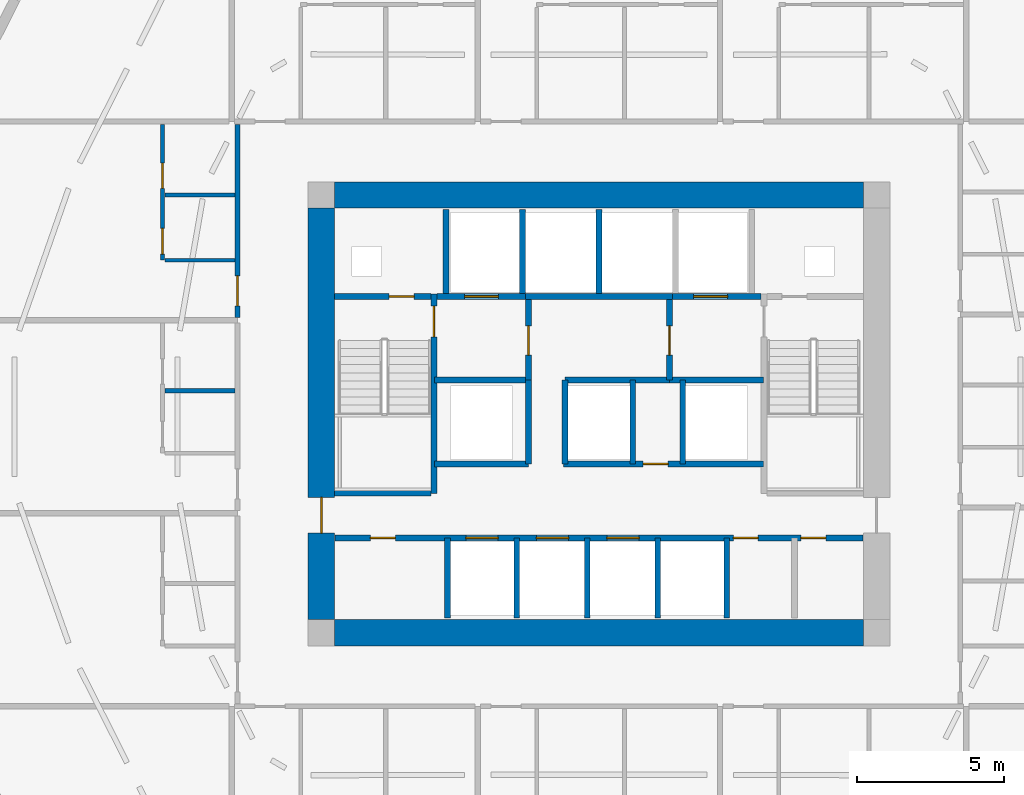
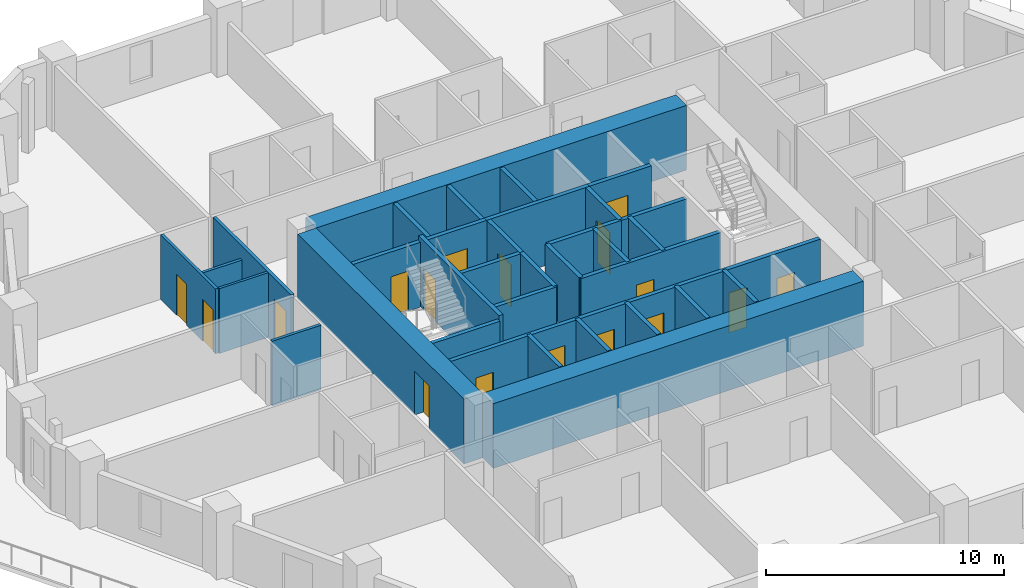
# One storey, part 4 of 10: 34 walls, 17 doors, 17 openings.
"""IFC4 building model written with IfcOpenShell, lengths in metres."""

from ifc_helpers import new_model, si_unit, direction, frame, frame_2d, origin, place, context, subcontext, project, spatial, rectangle, extrude, material, layer, layer_set, type_object, element, fill, save


model = new_model("IFC4")

# Units and contexts
model_context = context("Model", 3, precision=1e-05, world=origin(), true_north=direction((0.0, 1.0)))
body_context = subcontext(model_context, "Body", "Model", "MODEL_VIEW")
ifc_project = project(units=[si_unit("LENGTHUNIT", "METRE"), si_unit("AREAUNIT", "SQUARE_METRE"), si_unit("VOLUMEUNIT", "CUBIC_METRE"), si_unit("PLANEANGLEUNIT", "RADIAN"), si_unit("MASSUNIT", "GRAM", prefix="KILO")], contexts=[model_context])

# Site, building, storey
site_placement = place(None, origin())
site = spatial("IfcSite", under=ifc_project, at=site_placement, CompositionType="ELEMENT")
building_placement = place(site_placement, origin())
building = spatial("IfcBuilding", under=site, at=building_placement, Name="Cinnabar Lancet Tower", CompositionType="ELEMENT")
storey_placement = place(building_placement, frame((0.0, 0.0, 24.89990234375)))
storey = spatial("IfcBuildingStorey", under=building, at=storey_placement, Name="L05", CompositionType="ELEMENT", Elevation=24.89990234375)

# Wall, opening, door
ifc_material_1 = material(Name="Acoustic twin-stud gypsum partition", Category="gypsum")
ifc_layer_1 = layer(ifc_material_1, 0.159912109375)
ifc_layer_set_1 = layer_set([ifc_layer_1], Name="Acoustic twin-stud gypsum partition")
wall_type_1 = type_object("IfcWallType", Name="ARC-WL-CORR-160", PredefinedType="PARTITIONING", material=ifc_layer_set_1)
wall_1_placement = place(storey_placement, frame((20.10009765625, 29.178955078125, 0.0), z_axis=(0.0, 0.0, 1.0), x_axis=(0.0, 1.0, 0.0)))
wall_1 = element("IfcWall", 1, at=wall_1_placement, inside=storey, type_object=wall_type_1, Name="UW-L05-W03-COR", PredefinedType="PARTITIONING", context=body_context, shape_type="SweptSolid", body=[
    extrude(rectangle(XDim=6.575927734375, YDim=0.159912109375, at=frame_2d((3.2880859375, 0.0))), origin(), (0.0, 0.0, 1.0), 3.330078125),
])
opening_1_placement = place(wall_1_placement, frame((0.39990234375, 0.0, 0.0)))
opening_1 = element("IfcOpeningElement", 2, at=opening_1_placement, cuts=wall_1, Name="Opening UD-01", PredefinedType="OPENING", context=body_context, shape_type="SweptSolid", body=[
    extrude(rectangle(XDim=1.02001953125, YDim=2.25, at=frame_2d((0.510009765625, 1.125))), frame((0.0, 0.08984375, 0.0), z_axis=(0.0, -1.0, 0.0), x_axis=(1.0, 0.0, 0.0)), (0.0, 0.0, 1.0), 0.179931640625),
])
ifc_material_2 = material(Name="Solid timber fire-rated apartment entrance door", Category="wood")
door_type_1 = type_object("IfcDoorType", Name="ARC-DR-UNIT", OperationType="NOTDEFINED", PredefinedType="DOOR", material=ifc_material_2)
door_1_placement = place(opening_1_placement, origin())
door_1 = element("IfcDoor", 3, at=door_1_placement, inside=storey, type_object=door_type_1, Name="DR-L05-W03-ENT", OperationType="SINGLE_SWING_LEFT", OverallHeight=2.25, OverallWidth=1.02001953125, PredefinedType="DOOR", context=body_context, shape_type="SweptSolid", body=[
    extrude(rectangle(XDim=1.02001953125, YDim=2.25, at=frame_2d((0.510009765625, 1.125))), frame((0.0, 0.02490234375, 0.0), z_axis=(0.0, -1.0, 0.0), x_axis=(1.0, 0.0, 0.0)), (0.0, 0.0, 1.0), 0.050048828125),
])
fill(opening_1, door_1)

# Wall
ifc_material_3 = material(Name="Autoclaved aerated concrete blockwork", Category="masonry")
ifc_layer_2 = layer(ifc_material_3, 0.199951171875)
ifc_layer_set_2 = layer_set([ifc_layer_2], Name="Autoclaved aerated concrete blockwork")
wall_type_2 = type_object("IfcWallType", Name="ARC-WL-SHAFT-200", PredefinedType="PLUMBINGWALL", material=ifc_layer_set_2)
wall_2_placement = place(storey_placement, frame((23.405029296875, 23.199951171875, 0.0), z_axis=(0.0, 0.0, 1.0), x_axis=(1.0, 0.0, 0.0)))
element("IfcWall", 4, at=wall_2_placement, inside=storey, type_object=wall_type_2, Name="CW-ST1S-L05", PredefinedType="PLUMBINGWALL", context=body_context, shape_type="SweptSolid", body=[
    extrude(rectangle(XDim=3.27001953125, YDim=0.199951171875, at=frame_2d((1.635009765625, 0.0))), origin(), (0.0, 0.0, 1.0), 3.330078125),
])

# Wall, opening, door
wall_3_placement = place(storey_placement, frame((23.405029296875, 29.89990234375, 0.0), z_axis=(0.0, 0.0, 1.0), x_axis=(1.0, 0.0, 0.0)))
wall_3 = element("IfcWall", 5, at=wall_3_placement, inside=storey, type_object=wall_type_2, Name="CW-NSH-W-L05", PredefinedType="PLUMBINGWALL", context=body_context, shape_type="SweptSolid", body=[
    extrude(rectangle(XDim=3.27001953125, YDim=0.199951171875, at=frame_2d((1.635009765625, 0.0))), origin(), (0.0, 0.0, 1.0), 3.330078125),
])
opening_2_placement = place(wall_3_placement, frame((1.85009765625, 0.0, 0.0)))
opening_2 = element("IfcOpeningElement", 6, at=opening_2_placement, cuts=wall_3, Name="Opening PD-02", PredefinedType="OPENING", context=body_context, shape_type="SweptSolid", body=[
    extrude(rectangle(XDim=0.85009765625, YDim=2.050048828125, at=frame_2d((0.425048828125, 1.02490234375))), frame((0.0, 0.10986328125, 0.0), z_axis=(0.0, -1.0, 0.0), x_axis=(1.0, 0.0, 0.0)), (0.0, 0.0, 1.0), 0.219970703125),
])
ifc_material_4 = material(Name="Fire-rated steel riser access door", Category="steel")
door_type_2 = type_object("IfcDoorType", Name="ARC-DR-RISER", OperationType="NOTDEFINED", PredefinedType="DOOR", material=ifc_material_4)
door_2_placement = place(opening_2_placement, origin())
door_2 = element("IfcDoor", 7, at=door_2_placement, inside=storey, type_object=door_type_2, Name="L05 West Riser Access Door", OperationType="SINGLE_SWING_LEFT", OverallHeight=2.050048828125, OverallWidth=0.85009765625, PredefinedType="DOOR", context=body_context, shape_type="SweptSolid", body=[
    extrude(rectangle(XDim=0.85009765625, YDim=2.050048828125, at=frame_2d((0.425048828125, 1.02490234375))), frame((0.0, 0.02490234375, 0.0), z_axis=(0.0, -1.0, 0.0), x_axis=(1.0, 0.0, 0.0)), (0.0, 0.0, 1.0), 0.050048828125),
])
fill(opening_2, door_2)

wall_4_placement = place(storey_placement, frame((26.885009765625, 29.89990234375, 0.0), z_axis=(0.0, 0.0, 1.0), x_axis=(1.0, 0.0, 0.0)))
wall_4 = element("IfcWall", 8, at=wall_4_placement, inside=storey, type_object=wall_type_2, Name="CW-FL1-L05", PredefinedType="PLUMBINGWALL", context=body_context, shape_type="SweptSolid", body=[
    extrude(rectangle(XDim=3.014892578125, YDim=0.199951171875, at=frame_2d((1.50732421875, 0.0))), origin(), (0.0, 0.0, 1.0), 3.330078125),
])
opening_3_placement = place(wall_4_placement, frame((0.93994140625, 0.0, 0.0)))
opening_3 = element("IfcOpeningElement", 9, at=opening_3_placement, cuts=wall_4, Name="Opening LD-02", PredefinedType="OPENING", context=body_context, shape_type="SweptSolid", body=[
    extrude(rectangle(XDim=1.14990234375, YDim=2.199951171875, at=frame_2d((0.574951171875, 1.10009765625))), frame((0.0, 0.10986328125, 0.0), z_axis=(0.0, -1.0, 0.0), x_axis=(1.0, 0.0, 0.0)), (0.0, 0.0, 1.0), 0.219970703125),
])
ifc_material_5 = material(Name="Fire-rated stainless steel firefighting lift landing door", Category="steel")
door_type_3 = type_object("IfcDoorType", Name="ARC-DR-LD-FIRE", OperationType="NOTDEFINED", PredefinedType="DOOR", material=ifc_material_5)
door_3_placement = place(opening_3_placement, origin())
door_3 = element("IfcDoor", 10, at=door_3_placement, inside=storey, type_object=door_type_3, Name="L05 Firefighting Lift FL-1 Landing Door", OperationType="DOUBLE_DOOR_SLIDING", OverallHeight=2.199951171875, OverallWidth=1.14990234375, PredefinedType="DOOR", context=body_context, shape_type="SweptSolid", body=[
    extrude(rectangle(XDim=1.14990234375, YDim=2.199951171875, at=frame_2d((0.574951171875, 1.10009765625))), frame((0.0, 0.02490234375, 0.0), z_axis=(0.0, -1.0, 0.0), x_axis=(1.0, 0.0, 0.0)), (0.0, 0.0, 1.0), 0.050048828125),
])
fill(opening_3, door_3)

# Wall
wall_5_placement = place(storey_placement, frame((29.89990234375, 29.89990234375, 0.0), z_axis=(0.0, 0.0, 1.0), x_axis=(1.0, 0.0, 0.0)))
element("IfcWall", 11, at=wall_5_placement, inside=storey, type_object=wall_type_2, Name="CW-PL78-L05", PredefinedType="PLUMBINGWALL", context=body_context, shape_type="SweptSolid", body=[
    extrude(rectangle(XDim=5.0, YDim=0.199951171875, at=frame_2d((2.5, 0.0))), origin(), (0.0, 0.0, 1.0), 3.330078125),
])

# Wall, opening, door
wall_6_placement = place(storey_placement, frame((34.89990234375, 29.89990234375, 0.0), z_axis=(0.0, 0.0, 1.0), x_axis=(1.0, 0.0, 0.0)))
wall_6 = element("IfcWall", 12, at=wall_6_placement, inside=storey, type_object=wall_type_2, Name="CW-FL2-L05", PredefinedType="PLUMBINGWALL", context=body_context, shape_type="SweptSolid", body=[
    extrude(rectangle(XDim=3.01513671875, YDim=0.199951171875, at=frame_2d((1.507568359375, 0.0))), origin(), (0.0, 0.0, 1.0), 3.330078125),
])
opening_4_placement = place(wall_6_placement, frame((0.72509765625, 0.0, 0.0)))
opening_4 = element("IfcOpeningElement", 13, at=opening_4_placement, cuts=wall_6, Name="Opening LD-02", PredefinedType="OPENING", context=body_context, shape_type="SweptSolid", body=[
    extrude(rectangle(XDim=1.14990234375, YDim=2.199951171875, at=frame_2d((0.574951171875, 1.10009765625))), frame((0.0, 0.10986328125, 0.0), z_axis=(0.0, -1.0, 0.0), x_axis=(1.0, 0.0, 0.0)), (0.0, 0.0, 1.0), 0.219970703125),
])
door_4_placement = place(opening_4_placement, origin())
door_4 = element("IfcDoor", 14, at=door_4_placement, inside=storey, type_object=door_type_3, Name="L05 Firefighting Lift FL-2 Landing Door", OperationType="DOUBLE_DOOR_SLIDING", OverallHeight=2.199951171875, OverallWidth=1.14990234375, PredefinedType="DOOR", context=body_context, shape_type="SweptSolid", body=[
    extrude(rectangle(XDim=1.14990234375, YDim=2.199951171875, at=frame_2d((0.574951171875, 1.10009765625))), frame((0.0, 0.02490234375, 0.0), z_axis=(0.0, -1.0, 0.0), x_axis=(1.0, 0.0, 0.0)), (0.0, 0.0, 1.0), 0.050048828125),
])
fill(opening_4, door_4)

# Walls
for number, where, z_axis, x_axis, name in (
    (15, (27.199951171875, 30.0, 0.0), (0.0, 0.0, 1.0), (0.0, 1.0, 0.0), "CW-NSH-D1-L05"),
    (16, (29.800048828125, 30.0, 0.0), (0.0, 0.0, 1.0), (0.0, 1.0, 0.0), "CW-NSH-D2-L05"),
    (17, (32.39990234375, 30.0, 0.0), (0.0, 0.0, 1.0), (0.0, 1.0, 0.0), "CW-NSH-D3-L05"),
):
    element("IfcWall", number, at=place(storey_placement, frame(where, z_axis=z_axis, x_axis=x_axis)), inside=storey, type_object=wall_type_2, Name=name, PredefinedType="PLUMBINGWALL", context=body_context, shape_type="SweptSolid", body=[
        extrude(rectangle(XDim=2.85009765625, YDim=0.199951171875, at=frame_2d((1.425048828125, 0.0))), origin(), (0.0, 0.0, 1.0), 3.330078125),
    ])

# Wall, opening, door
wall_7_placement = place(storey_placement, frame((30.0, 27.050048828125, 0.0), z_axis=(0.0, 0.0, 1.0), x_axis=(0.0, 1.0, 0.0)))
wall_7 = element("IfcWall", 18, at=wall_7_placement, inside=storey, type_object=wall_type_2, Name="CW-FF1E-L05", PredefinedType="PLUMBINGWALL", context=body_context, shape_type="SweptSolid", body=[
    extrude(rectangle(XDim=2.75, YDim=0.199951171875, at=frame_2d((1.375, 0.0))), origin(), (0.0, 0.0, 1.0), 3.330078125),
])
opening_5_placement = place(wall_7_placement, frame((0.85009765625, 0.0, 0.0)))
opening_5 = element("IfcOpeningElement", 19, at=opening_5_placement, cuts=wall_7, Name="Opening FD-01", PredefinedType="OPENING", context=body_context, shape_type="SweptSolid", body=[
    extrude(rectangle(XDim=1.0, YDim=2.14990234375, at=frame_2d((0.5, 1.074951171875))), frame((0.0, 0.10986328125, 0.0), z_axis=(0.0, -1.0, 0.0), x_axis=(1.0, 0.0, 0.0)), (0.0, 0.0, 1.0), 0.219970703125),
])
ifc_material_6 = material(Name="Fire-rated timber-core lobby door", Category="wood")
door_type_4 = type_object("IfcDoorType", Name="ARC-DR-FFAL", OperationType="NOTDEFINED", PredefinedType="DOOR", material=ifc_material_6)
door_5_placement = place(opening_5_placement, origin())
door_5 = element("IfcDoor", 20, at=door_5_placement, inside=storey, type_object=door_type_4, Name="L05 FFAL-1 Lobby Fire Door", OperationType="SINGLE_SWING_RIGHT", OverallHeight=2.14990234375, OverallWidth=1.0, PredefinedType="DOOR", context=body_context, shape_type="SweptSolid", body=[
    extrude(rectangle(XDim=1.0, YDim=2.14990234375, at=frame_2d((0.5, 1.074951171875))), frame((0.0, 0.02490234375, 0.0), z_axis=(0.0, -1.0, 0.0), x_axis=(1.0, 0.0, 0.0)), (0.0, 0.0, 1.0), 0.050048828125),
])
fill(opening_5, door_5)

# Wall
wall_8_placement = place(storey_placement, frame((26.800048828125, 27.050048828125, 0.0), z_axis=(0.0, 0.0, 1.0), x_axis=(1.0, 0.0, 0.0)))
element("IfcWall", 21, at=wall_8_placement, inside=storey, type_object=wall_type_2, Name="CW-FF1S-L05", PredefinedType="PLUMBINGWALL", context=body_context, shape_type="SweptSolid", body=[
    extrude(rectangle(XDim=3.199951171875, YDim=0.199951171875, at=frame_2d((1.60009765625, 0.0))), origin(), (0.0, 0.0, 1.0), 3.330078125),
])

# Wall, opening, door
wall_9_placement = place(storey_placement, frame((34.800048828125, 27.050048828125, 0.0), z_axis=(0.0, 0.0, 1.0), x_axis=(0.0, 1.0, 0.0)))
wall_9 = element("IfcWall", 22, at=wall_9_placement, inside=storey, type_object=wall_type_2, Name="CW-FF2W-L05", PredefinedType="PLUMBINGWALL", context=body_context, shape_type="SweptSolid", body=[
    extrude(rectangle(XDim=2.75, YDim=0.199951171875, at=frame_2d((1.375, 0.0))), origin(), (0.0, 0.0, 1.0), 3.330078125),
])
opening_6_placement = place(wall_9_placement, frame((0.85009765625, 0.0, 0.0)))
opening_6 = element("IfcOpeningElement", 23, at=opening_6_placement, cuts=wall_9, Name="Opening FD-01", PredefinedType="OPENING", context=body_context, shape_type="SweptSolid", body=[
    extrude(rectangle(XDim=1.0, YDim=2.14990234375, at=frame_2d((0.5, 1.074951171875))), frame((0.0, 0.10986328125, 0.0), z_axis=(0.0, -1.0, 0.0), x_axis=(1.0, 0.0, 0.0)), (0.0, 0.0, 1.0), 0.219970703125),
])
door_6_placement = place(opening_6_placement, origin())
door_6 = element("IfcDoor", 24, at=door_6_placement, inside=storey, type_object=door_type_4, Name="L05 FFAL-2 Lobby Fire Door", OperationType="SINGLE_SWING_LEFT", OverallHeight=2.14990234375, OverallWidth=1.0, PredefinedType="DOOR", context=body_context, shape_type="SweptSolid", body=[
    extrude(rectangle(XDim=1.0, YDim=2.14990234375, at=frame_2d((0.5, 1.074951171875))), frame((0.0, 0.02490234375, 0.0), z_axis=(0.0, -1.0, 0.0), x_axis=(1.0, 0.0, 0.0)), (0.0, 0.0, 1.0), 0.050048828125),
])
fill(opening_6, door_6)

# Walls
for number, where, z_axis, x_axis, name in (
    (25, (34.800048828125, 27.050048828125, 0.0), (0.0, 0.0, 1.0), (1.0, 0.0, 0.0), "CW-FF2S-L05"),
    (26, (26.800048828125, 24.199951171875, 0.0), (0.0, 0.0, 1.0), (1.0, 0.0, 0.0), "CW-PL5S-L05"),
):
    element("IfcWall", number, at=place(storey_placement, frame(where, z_axis=z_axis, x_axis=x_axis)), inside=storey, type_object=wall_type_2, Name=name, PredefinedType="PLUMBINGWALL", context=body_context, shape_type="SweptSolid", body=[
        extrude(rectangle(XDim=3.199951171875, YDim=0.199951171875, at=frame_2d((1.60009765625, 0.0))), origin(), (0.0, 0.0, 1.0), 3.330078125),
    ])
wall_10_placement = place(storey_placement, frame((30.0, 24.199951171875, 0.0), z_axis=(0.0, 0.0, 1.0), x_axis=(0.0, 1.0, 0.0)))
element("IfcWall", 27, at=wall_10_placement, inside=storey, type_object=wall_type_2, Name="CW-PL5E-L05", PredefinedType="PLUMBINGWALL", context=body_context, shape_type="SweptSolid", body=[
    extrude(rectangle(XDim=2.85009765625, YDim=0.199951171875, at=frame_2d((1.425048828125, 0.0))), origin(), (0.0, 0.0, 1.0), 3.330078125),
])

# Wall, opening, door
wall_11_placement = place(storey_placement, frame((31.199951171875, 24.199951171875, 0.0), z_axis=(0.0, 0.0, 1.0), x_axis=(1.0, 0.0, 0.0)))
wall_11 = element("IfcWall", 28, at=wall_11_placement, inside=storey, type_object=wall_type_2, Name="CW-PL96S-L05", PredefinedType="PLUMBINGWALL", context=body_context, shape_type="SweptSolid", body=[
    extrude(rectangle(XDim=6.800048828125, YDim=0.199951171875, at=frame_2d((3.39990234375, 0.0))), origin(), (0.0, 0.0, 1.0), 3.330078125),
])
opening_7_placement = place(wall_11_placement, frame((2.699951171875, 0.0, 0.0)))
opening_7 = element("IfcOpeningElement", 29, at=opening_7_placement, cuts=wall_11, Name="Opening PD-02", PredefinedType="OPENING", context=body_context, shape_type="SweptSolid", body=[
    extrude(rectangle(XDim=0.85009765625, YDim=2.050048828125, at=frame_2d((0.425048828125, 1.02490234375))), frame((0.0, 0.10986328125, 0.0), z_axis=(0.0, -1.0, 0.0), x_axis=(1.0, 0.0, 0.0)), (0.0, 0.0, 1.0), 0.219970703125),
])
door_7_placement = place(opening_7_placement, origin())
door_7 = element("IfcDoor", 30, at=door_7_placement, inside=storey, type_object=door_type_2, Name="L05 BMS Closet Door", OperationType="SINGLE_SWING_LEFT", OverallHeight=2.050048828125, OverallWidth=0.85009765625, PredefinedType="DOOR", context=body_context, shape_type="SweptSolid", body=[
    extrude(rectangle(XDim=0.85009765625, YDim=2.050048828125, at=frame_2d((0.425048828125, 1.02490234375))), frame((0.0, 0.02490234375, 0.0), z_axis=(0.0, -1.0, 0.0), x_axis=(1.0, 0.0, 0.0)), (0.0, 0.0, 1.0), 0.050048828125),
])
fill(opening_7, door_7)

# Walls
for number, where, z_axis, x_axis, name in (
    (31, (31.25, 24.199951171875, 0.0), (0.0, 0.0, 1.0), (0.0, 1.0, 0.0), "CW-PL9W-L05"),
    (32, (33.550048828125, 24.199951171875, 0.0), (0.0, 0.0, 1.0), (0.0, 1.0, 0.0), "CW-PL9E-L05"),
    (33, (35.25, 24.199951171875, 0.0), (0.0, 0.0, 1.0), (0.0, 1.0, 0.0), "CW-PL6W-L05"),
):
    element("IfcWall", number, at=place(storey_placement, frame(where, z_axis=z_axis, x_axis=x_axis)), inside=storey, type_object=wall_type_2, Name=name, PredefinedType="PLUMBINGWALL", context=body_context, shape_type="SweptSolid", body=[
        extrude(rectangle(XDim=2.85009765625, YDim=0.199951171875, at=frame_2d((1.425048828125, 0.0))), origin(), (0.0, 0.0, 1.0), 3.330078125),
    ])
wall_12_placement = place(storey_placement, frame((31.25, 27.050048828125, 0.0), z_axis=(0.0, 0.0, 1.0), x_axis=(1.0, 0.0, 0.0)))
element("IfcWall", 34, at=wall_12_placement, inside=storey, type_object=wall_type_2, Name="CW-PL96N-L05", PredefinedType="PLUMBINGWALL", context=body_context, shape_type="SweptSolid", body=[
    extrude(rectangle(XDim=3.550048828125, YDim=0.199951171875, at=frame_2d((1.77490234375, 0.0))), origin(), (0.0, 0.0, 1.0), 3.330078125),
])

# Wall, openings, doors
wall_13_placement = place(storey_placement, frame((23.419921875, 21.679931640625, 0.0), z_axis=(0.0, 0.0, 1.0), x_axis=(1.0, 0.0, 0.0)))
wall_13 = element("IfcWall", 35, at=wall_13_placement, inside=storey, type_object=wall_type_2, Name="CW-SBANDN-L05", PredefinedType="PLUMBINGWALL", context=body_context, shape_type="SweptSolid", body=[
    extrude(rectangle(XDim=17.9599609375, YDim=0.199951171875, at=frame_2d((8.97998046875, 0.0))), origin(), (0.0, 0.0, 1.0), 3.330078125),
])
opening_8_placement = place(wall_13_placement, frame((4.449951171875, 0.0, 0.0)))
opening_8 = element("IfcOpeningElement", 36, at=opening_8_placement, cuts=wall_13, Name="Opening LD-01", PredefinedType="OPENING", context=body_context, shape_type="SweptSolid", body=[
    extrude(rectangle(XDim=1.10009765625, YDim=2.199951171875, at=frame_2d((0.550048828125, 1.10009765625))), frame((0.0, 0.10986328125, 0.0), z_axis=(0.0, -1.0, 0.0), x_axis=(1.0, 0.0, 0.0)), (0.0, 0.0, 1.0), 0.219970703125),
])
opening_9_placement = place(wall_13_placement, frame((6.85009765625, 0.0, 0.0)))
opening_9 = element("IfcOpeningElement", 37, at=opening_9_placement, cuts=wall_13, Name="Opening LD-01", PredefinedType="OPENING", context=body_context, shape_type="SweptSolid", body=[
    extrude(rectangle(XDim=1.10009765625, YDim=2.199951171875, at=frame_2d((0.550048828125, 1.10009765625))), frame((0.0, 0.10986328125, 0.0), z_axis=(0.0, -1.0, 0.0), x_axis=(1.0, 0.0, 0.0)), (0.0, 0.0, 1.0), 0.219970703125),
])
opening_10_placement = place(wall_13_placement, frame((9.25, 0.0, 0.0)))
opening_10 = element("IfcOpeningElement", 38, at=opening_10_placement, cuts=wall_13, Name="Opening LD-01", PredefinedType="OPENING", context=body_context, shape_type="SweptSolid", body=[
    extrude(rectangle(XDim=1.10009765625, YDim=2.199951171875, at=frame_2d((0.550048828125, 1.10009765625))), frame((0.0, 0.10986328125, 0.0), z_axis=(0.0, -1.0, 0.0), x_axis=(1.0, 0.0, 0.0)), (0.0, 0.0, 1.0), 0.219970703125),
])
opening_11_placement = place(wall_13_placement, frame((1.199951171875, 0.0, 0.0)))
opening_11 = element("IfcOpeningElement", 39, at=opening_11_placement, cuts=wall_13, Name="Opening PD-02", PredefinedType="OPENING", context=body_context, shape_type="SweptSolid", body=[
    extrude(rectangle(XDim=0.85009765625, YDim=2.050048828125, at=frame_2d((0.425048828125, 1.02490234375))), frame((0.0, 0.10986328125, 0.0), z_axis=(0.0, -1.0, 0.0), x_axis=(1.0, 0.0, 0.0)), (0.0, 0.0, 1.0), 0.219970703125),
])
opening_12_placement = place(wall_13_placement, frame((13.550048828125, 0.0, 0.0)))
opening_12 = element("IfcOpeningElement", 40, at=opening_12_placement, cuts=wall_13, Name="Opening PD-02", PredefinedType="OPENING", context=body_context, shape_type="SweptSolid", body=[
    extrude(rectangle(XDim=0.85009765625, YDim=2.050048828125, at=frame_2d((0.425048828125, 1.02490234375))), frame((0.0, 0.10986328125, 0.0), z_axis=(0.0, -1.0, 0.0), x_axis=(1.0, 0.0, 0.0)), (0.0, 0.0, 1.0), 0.219970703125),
])
opening_13_placement = place(wall_13_placement, frame((15.85009765625, 0.0, 0.0)))
opening_13 = element("IfcOpeningElement", 41, at=opening_13_placement, cuts=wall_13, Name="Opening PD-02", PredefinedType="OPENING", context=body_context, shape_type="SweptSolid", body=[
    extrude(rectangle(XDim=0.85009765625, YDim=2.050048828125, at=frame_2d((0.425048828125, 1.02490234375))), frame((0.0, 0.10986328125, 0.0), z_axis=(0.0, -1.0, 0.0), x_axis=(1.0, 0.0, 0.0)), (0.0, 0.0, 1.0), 0.219970703125),
])
ifc_material_7 = material(Name="Brushed stainless steel sliding lift door", Category="steel")
door_type_5 = type_object("IfcDoorType", Name="ARC-DR-LD-PASS", OperationType="NOTDEFINED", PredefinedType="DOOR", material=ifc_material_7)
door_8_placement = place(opening_8_placement, origin())
door_8 = element("IfcDoor", 42, at=door_8_placement, inside=storey, type_object=door_type_5, Name="L05 Lift PL-1 Landing Door", OperationType="DOUBLE_DOOR_SLIDING", OverallHeight=2.199951171875, OverallWidth=1.10009765625, PredefinedType="DOOR", context=body_context, shape_type="SweptSolid", body=[
    extrude(rectangle(XDim=1.10009765625, YDim=2.199951171875, at=frame_2d((0.550048828125, 1.10009765625))), frame((0.0, 0.02490234375, 0.0), z_axis=(0.0, -1.0, 0.0), x_axis=(1.0, 0.0, 0.0)), (0.0, 0.0, 1.0), 0.050048828125),
])
fill(opening_8, door_8)
door_9_placement = place(opening_9_placement, origin())
door_9 = element("IfcDoor", 43, at=door_9_placement, inside=storey, type_object=door_type_5, Name="L05 Lift PL-2 Landing Door", OperationType="DOUBLE_DOOR_SLIDING", OverallHeight=2.199951171875, OverallWidth=1.10009765625, PredefinedType="DOOR", context=body_context, shape_type="SweptSolid", body=[
    extrude(rectangle(XDim=1.10009765625, YDim=2.199951171875, at=frame_2d((0.550048828125, 1.10009765625))), frame((0.0, 0.02490234375, 0.0), z_axis=(0.0, -1.0, 0.0), x_axis=(1.0, 0.0, 0.0)), (0.0, 0.0, 1.0), 0.050048828125),
])
fill(opening_9, door_9)
door_10_placement = place(opening_10_placement, origin())
door_10 = element("IfcDoor", 44, at=door_10_placement, inside=storey, type_object=door_type_5, Name="L05 Lift PL-3 Landing Door", OperationType="DOUBLE_DOOR_SLIDING", OverallHeight=2.199951171875, OverallWidth=1.10009765625, PredefinedType="DOOR", context=body_context, shape_type="SweptSolid", body=[
    extrude(rectangle(XDim=1.10009765625, YDim=2.199951171875, at=frame_2d((0.550048828125, 1.10009765625))), frame((0.0, 0.02490234375, 0.0), z_axis=(0.0, -1.0, 0.0), x_axis=(1.0, 0.0, 0.0)), (0.0, 0.0, 1.0), 0.050048828125),
])
fill(opening_10, door_10)
door_11_placement = place(opening_11_placement, origin())
door_11 = element("IfcDoor", 45, at=door_11_placement, inside=storey, type_object=door_type_2, Name="DR-L05-SW1", OperationType="SINGLE_SWING_LEFT", OverallHeight=2.050048828125, OverallWidth=0.85009765625, PredefinedType="DOOR", context=body_context, shape_type="SweptSolid", body=[
    extrude(rectangle(XDim=0.85009765625, YDim=2.050048828125, at=frame_2d((0.425048828125, 1.02490234375))), frame((0.0, 0.02490234375, 0.0), z_axis=(0.0, -1.0, 0.0), x_axis=(1.0, 0.0, 0.0)), (0.0, 0.0, 1.0), 0.050048828125),
])
fill(opening_11, door_11)
door_12_placement = place(opening_12_placement, origin())
door_12 = element("IfcDoor", 46, at=door_12_placement, inside=storey, type_object=door_type_2, Name="DR-L05-SE1", OperationType="SINGLE_SWING_LEFT", OverallHeight=2.050048828125, OverallWidth=0.85009765625, PredefinedType="DOOR", context=body_context, shape_type="SweptSolid", body=[
    extrude(rectangle(XDim=0.85009765625, YDim=2.050048828125, at=frame_2d((0.425048828125, 1.02490234375))), frame((0.0, 0.02490234375, 0.0), z_axis=(0.0, -1.0, 0.0), x_axis=(1.0, 0.0, 0.0)), (0.0, 0.0, 1.0), 0.050048828125),
])
fill(opening_12, door_12)
door_13_placement = place(opening_13_placement, origin())
door_13 = element("IfcDoor", 47, at=door_13_placement, inside=storey, type_object=door_type_2, Name="DR-L05-SE2", OperationType="SINGLE_SWING_RIGHT", OverallHeight=2.050048828125, OverallWidth=0.85009765625, PredefinedType="DOOR", context=body_context, shape_type="SweptSolid", body=[
    extrude(rectangle(XDim=0.85009765625, YDim=2.050048828125, at=frame_2d((0.425048828125, 1.02490234375))), frame((0.0, 0.02490234375, 0.0), z_axis=(0.0, -1.0, 0.0), x_axis=(1.0, 0.0, 0.0)), (0.0, 0.0, 1.0), 0.050048828125),
])
fill(opening_13, door_13)

# Walls
for number, where, z_axis, x_axis, name in (
    (48, (27.25, 18.949951171875, 0.0), (0.0, 0.0, 1.0), (0.0, 1.0, 0.0), "CW-SB-2725-L05"),
    (49, (29.60009765625, 18.949951171875, 0.0), (0.0, 0.0, 1.0), (0.0, 1.0, 0.0), "CW-SB-2960-L05"),
    (50, (32.0, 18.949951171875, 0.0), (0.0, 0.0, 1.0), (0.0, 1.0, 0.0), "CW-SB-3200-L05"),
    (51, (34.39990234375, 18.949951171875, 0.0), (0.0, 0.0, 1.0), (0.0, 1.0, 0.0), "CW-SB-3440-L05"),
    (52, (36.75, 18.949951171875, 0.0), (0.0, 0.0, 1.0), (0.0, 1.0, 0.0), "CW-SB-3675-L05"),
):
    element("IfcWall", number, at=place(storey_placement, frame(where, z_axis=z_axis, x_axis=x_axis)), inside=storey, type_object=wall_type_2, Name=name, PredefinedType="PLUMBINGWALL", context=body_context, shape_type="SweptSolid", body=[
        extrude(rectangle(XDim=2.72998046875, YDim=0.199951171875, at=frame_2d((1.364990234375, 0.0))), origin(), (0.0, 0.0, 1.0), 3.330078125),
    ])
ifc_material_8 = material(Name="Gypsum plasterboard stud partition", Category="gypsum")
ifc_layer_3 = layer(ifc_material_8, 0.125)
ifc_layer_set_3 = layer_set([ifc_layer_3], Name="Gypsum plasterboard stud partition")
wall_type_3 = type_object("IfcWallType", Name="ARC-WL-UNIT-125", PredefinedType="PARTITIONING", material=ifc_layer_set_3)
wall_14_placement = place(storey_placement, frame((17.635009765625, 31.134033203125, 0.0), z_axis=(0.0, 0.0, 1.0), x_axis=(1.0, 0.0, 0.0)))
element("IfcWall", 53, at=wall_14_placement, inside=storey, type_object=wall_type_3, Name="UW-L05-W03-FOYN", PredefinedType="PARTITIONING", context=body_context, shape_type="SweptSolid", body=[
    extrude(rectangle(XDim=2.3798828125, YDim=0.125, at=frame_2d((1.18994140625, 0.0))), origin(), (0.0, 0.0, 1.0), 3.330078125),
])
ifc_material_9 = material(Name="Moisture-resistant cement-board plumbing wall", Category="masonry")
ifc_layer_4 = layer(ifc_material_9, 0.139892578125)
ifc_layer_set_4 = layer_set([ifc_layer_4], Name="Moisture-resistant cement-board plumbing wall")
wall_type_4 = type_object("IfcWallType", Name="ARC-WL-WET-140", PredefinedType="PLUMBINGWALL", material=ifc_layer_set_4)
wall_15_placement = place(storey_placement, frame((17.635009765625, 26.68994140625, 0.0), z_axis=(0.0, 0.0, 1.0), x_axis=(1.0, 0.0, 0.0)))
element("IfcWall", 54, at=wall_15_placement, inside=storey, type_object=wall_type_4, Name="UW-L05-W02-KDV", PredefinedType="PLUMBINGWALL", context=body_context, shape_type="SweptSolid", body=[
    extrude(rectangle(XDim=2.3798828125, YDim=0.139892578125, at=frame_2d((1.18994140625, 0.0))), origin(), (0.0, 0.0, 1.0), 3.330078125),
])

# Wall, openings, doors
wall_16_placement = place(storey_placement, frame((17.550048828125, 31.134033203125, 0.0), z_axis=(0.0, 0.0, 1.0), x_axis=(0.0, 1.0, 0.0)))
wall_16 = element("IfcWall", 55, at=wall_16_placement, inside=storey, type_object=wall_type_4, Name="UW-L05-W03-SPL", PredefinedType="PLUMBINGWALL", context=body_context, shape_type="SweptSolid", body=[
    extrude(rectangle(XDim=4.620849609375, YDim=0.139892578125, at=frame_2d((2.310546875, 0.0))), origin(), (0.0, 0.0, 1.0), 3.330078125),
])
opening_14_placement = place(wall_16_placement, frame((2.43798828125, 0.0, 0.0)))
opening_14 = element("IfcOpeningElement", 56, at=opening_14_placement, cuts=wall_16, Name="Opening BD-01", PredefinedType="OPENING", context=body_context, shape_type="SweptSolid", body=[
    extrude(rectangle(XDim=0.860107421875, YDim=2.10009765625, at=frame_2d((0.43017578125, 1.050048828125))), frame((0.0, 0.079833984375, 0.0), z_axis=(0.0, -1.0, 0.0), x_axis=(1.0, 0.0, 0.0)), (0.0, 0.0, 1.0), 0.159912109375),
])
opening_15_placement = place(wall_16_placement, frame((0.199951171875, 0.0, 0.0)))
opening_15 = element("IfcOpeningElement", 57, at=opening_15_placement, cuts=wall_16, Name="Opening RD-02", PredefinedType="OPENING", context=body_context, shape_type="SweptSolid", body=[
    extrude(rectangle(XDim=0.8798828125, YDim=2.14990234375, at=frame_2d((0.43994140625, 1.074951171875))), frame((0.0, 0.079833984375, 0.0), z_axis=(0.0, -1.0, 0.0), x_axis=(1.0, 0.0, 0.0)), (0.0, 0.0, 1.0), 0.159912109375),
])
ifc_material_10 = material(Name="Moisture-resistant timber bathroom door", Category="wood")
door_type_6 = type_object("IfcDoorType", Name="ARC-DR-BATH", OperationType="NOTDEFINED", PredefinedType="DOOR", material=ifc_material_10)
door_14_placement = place(opening_14_placement, origin())
door_14 = element("IfcDoor", 58, at=door_14_placement, inside=storey, type_object=door_type_6, Name="DR-L05-W03-BTH", OperationType="SINGLE_SWING_LEFT", OverallHeight=2.10009765625, OverallWidth=0.860107421875, PredefinedType="DOOR", context=body_context, shape_type="SweptSolid", body=[
    extrude(rectangle(XDim=0.860107421875, YDim=2.10009765625, at=frame_2d((0.43017578125, 1.050048828125))), frame((0.0, 0.02490234375, 0.0), z_axis=(0.0, -1.0, 0.0), x_axis=(1.0, 0.0, 0.0)), (0.0, 0.0, 1.0), 0.050048828125),
])
fill(opening_14, door_14)
ifc_material_11 = material(Name="Engineered timber study door", Category="wood")
door_type_7 = type_object("IfcDoorType", Name="ARC-DR-STUDY", OperationType="NOTDEFINED", PredefinedType="DOOR", material=ifc_material_11)
door_15_placement = place(opening_15_placement, origin())
door_15 = element("IfcDoor", 59, at=door_15_placement, inside=storey, type_object=door_type_7, Name="DR-L05-W03-KIT", OperationType="SINGLE_SWING_RIGHT", OverallHeight=2.14990234375, OverallWidth=0.8798828125, PredefinedType="DOOR", context=body_context, shape_type="SweptSolid", body=[
    extrude(rectangle(XDim=0.8798828125, YDim=2.14990234375, at=frame_2d((0.43994140625, 1.074951171875))), frame((0.0, 0.02490234375, 0.0), z_axis=(0.0, -1.0, 0.0), x_axis=(1.0, 0.0, 0.0)), (0.0, 0.0, 1.0), 0.050048828125),
])
fill(opening_15, door_15)

# Walls
wall_17_placement = place(storey_placement, frame((17.635009765625, 33.35205078125, 0.0), z_axis=(0.0, 0.0, 1.0), x_axis=(1.0, 0.0, 0.0)))
element("IfcWall", 60, at=wall_17_placement, inside=storey, type_object=wall_type_4, Name="UW-L05-W03-KDV", PredefinedType="PLUMBINGWALL", context=body_context, shape_type="SweptSolid", body=[
    extrude(rectangle(XDim=2.3798828125, YDim=0.139892578125, at=frame_2d((1.18994140625, 0.0))), origin(), (0.0, 0.0, 1.0), 2.63720703125),
])
ifc_material_12 = material(Name="Concrete C80/95", Category="concrete")
ifc_layer_5 = layer(ifc_material_12, 0.89990234375)
ifc_layer_set_5 = layer_set([ifc_layer_5], Name="Concrete C80/95")
wall_type_5 = type_object("IfcWallType", Name="STR-WL-CORE-900", PredefinedType="SHEAR", material=ifc_layer_set_5)
for number, where, z_axis, x_axis, name in (
    (61, (23.39990234375, 18.449951171875, 0.0), (0.0, 0.0, 1.0), (1.0, 0.0, 0.0), "L05 Core Shear Wall S"),
    (62, (23.39990234375, 33.35009765625, 0.0), (0.0, 0.0, 1.0), (1.0, 0.0, 0.0), "L05 Core Shear Wall N"),
):
    element("IfcWall", number, at=place(storey_placement, frame(where, z_axis=z_axis, x_axis=x_axis)), inside=storey, type_object=wall_type_5, Name=name, PredefinedType="SHEAR", context=body_context, shape_type="SweptSolid", body=[
        extrude(rectangle(XDim=18.0, YDim=0.89990234375, at=frame_2d((9.0, 0.0))), origin(), (0.0, 0.0, 1.0), 3.330078125),
    ])

# Wall, opening, door
wall_18_placement = place(storey_placement, frame((22.949951171875, 18.89990234375, 0.0), z_axis=(0.0, 0.0, 1.0), x_axis=(0.0, 1.0, 0.0)))
wall_18 = element("IfcWall", 63, at=wall_18_placement, inside=storey, type_object=wall_type_5, Name="L05 Core Shear Wall W", PredefinedType="SHEAR", context=body_context, shape_type="SweptSolid", body=[
    extrude(rectangle(XDim=14.0, YDim=0.89990234375, at=frame_2d((7.0, 0.0))), origin(), (0.0, 0.0, 1.0), 3.330078125),
])
opening_16_placement = place(wall_18_placement, frame((2.93994140625, 0.0, 0.0)))
opening_16 = element("IfcOpeningElement", 64, at=opening_16_placement, cuts=wall_18, Name="Opening FD-02", PredefinedType="OPENING", context=body_context, shape_type="SweptSolid", body=[
    extrude(rectangle(XDim=1.219970703125, YDim=2.25, at=frame_2d((0.60986328125, 1.125))), frame((0.0, 0.4599609375, 0.0), z_axis=(0.0, -1.0, 0.0), x_axis=(1.0, 0.0, 0.0)), (0.0, 0.0, 1.0), 0.919921875),
])
ifc_material_13 = material(Name="Fire-rated double-vision core portal door", Category="wood")
door_type_8 = type_object("IfcDoorType", Name="ARC-DR-CPORT", OperationType="NOTDEFINED", PredefinedType="DOOR", material=ifc_material_13)
door_16_placement = place(opening_16_placement, origin())
door_16 = element("IfcDoor", 65, at=door_16_placement, inside=storey, type_object=door_type_8, Name="L05 West Core Lobby Fire Door", OperationType="SINGLE_SWING_RIGHT", OverallHeight=2.25, OverallWidth=1.219970703125, PredefinedType="DOOR", context=body_context, shape_type="SweptSolid", body=[
    extrude(rectangle(XDim=1.219970703125, YDim=2.25, at=frame_2d((0.60986328125, 1.125))), frame((0.0, 0.02490234375, 0.0), z_axis=(0.0, -1.0, 0.0), x_axis=(1.0, 0.0, 0.0)), (0.0, 0.0, 1.0), 0.050048828125),
])
fill(opening_16, door_16)

ifc_material_14 = material(Name="Concrete C50/60", Category="concrete")
ifc_layer_6 = layer(ifc_material_14, 0.199951171875)
ifc_layer_set_6 = layer_set([ifc_layer_6], Name="Concrete C50/60")
wall_type_6 = type_object("IfcWallType", Name="STR-WL-STAIR-200", PredefinedType="SHEAR", material=ifc_layer_set_6)
wall_19_placement = place(storey_placement, frame((26.780029296875, 23.199951171875, 0.0), z_axis=(0.0, 0.0, 1.0), x_axis=(0.0, 1.0, 0.0)))
wall_19 = element("IfcWall", 66, at=wall_19_placement, inside=storey, type_object=wall_type_6, Name="L05 Stair ST-1 Structural Enclosure Wall", PredefinedType="SHEAR", context=body_context, shape_type="SweptSolid", body=[
    extrude(rectangle(XDim=6.780029296875, YDim=0.199951171875, at=frame_2d((3.39013671875, 0.0))), origin(), (0.0, 0.0, 1.0), 3.550048828125),
])
opening_17_placement = place(wall_19_placement, frame((5.320068359375, 0.0, 0.0)))
opening_17 = element("IfcOpeningElement", 67, at=opening_17_placement, cuts=wall_19, Name="Opening SD-01", PredefinedType="OPENING", context=body_context, shape_type="SweptSolid", body=[
    extrude(rectangle(XDim=1.050048828125, YDim=2.14990234375, at=frame_2d((0.52490234375, 1.074951171875))), frame((0.0, 0.10986328125, 0.0), z_axis=(0.0, -1.0, 0.0), x_axis=(1.0, 0.0, 0.0)), (0.0, 0.0, 1.0), 0.219970703125),
])
ifc_material_15 = material(Name="Fire-rated steel stair exit door", Category="steel")
door_type_9 = type_object("IfcDoorType", Name="ARC-DR-STAIR", OperationType="NOTDEFINED", PredefinedType="DOOR", material=ifc_material_15)
door_17_placement = place(opening_17_placement, origin())
door_17 = element("IfcDoor", 68, at=door_17_placement, inside=storey, type_object=door_type_9, Name="L05 Stair ST-1 Fire Door", OperationType="SINGLE_SWING_LEFT", OverallHeight=2.14990234375, OverallWidth=1.050048828125, PredefinedType="DOOR", context=body_context, shape_type="SweptSolid", body=[
    extrude(rectangle(XDim=1.050048828125, YDim=2.14990234375, at=frame_2d((0.52490234375, 1.074951171875))), frame((0.0, 0.02490234375, 0.0), z_axis=(0.0, -1.0, 0.0), x_axis=(1.0, 0.0, 0.0)), (0.0, 0.0, 1.0), 0.050048828125),
])
fill(opening_17, door_17)

save(model, "model.ifc")
